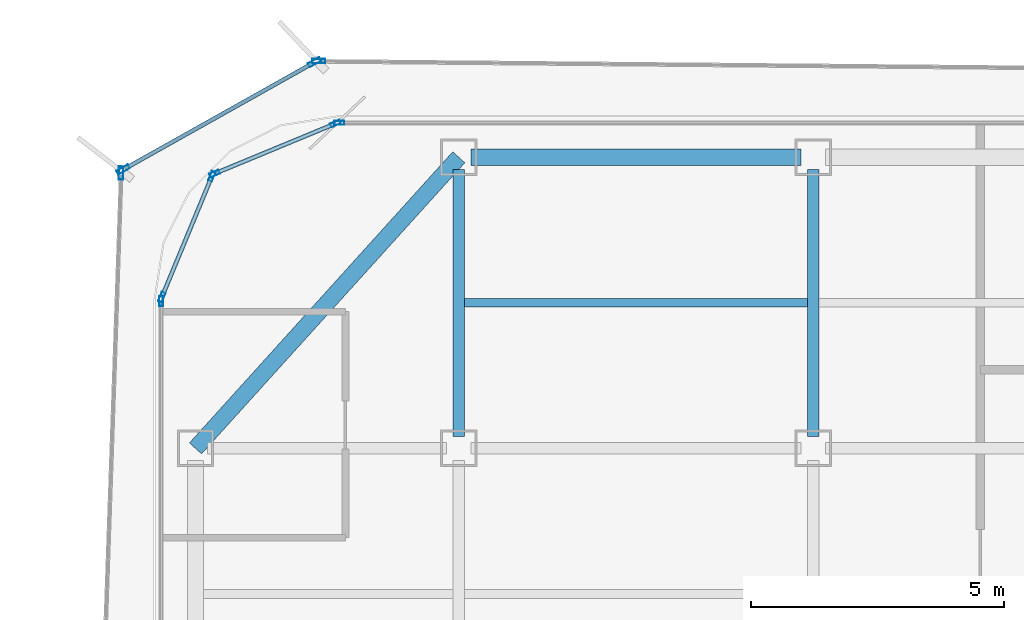
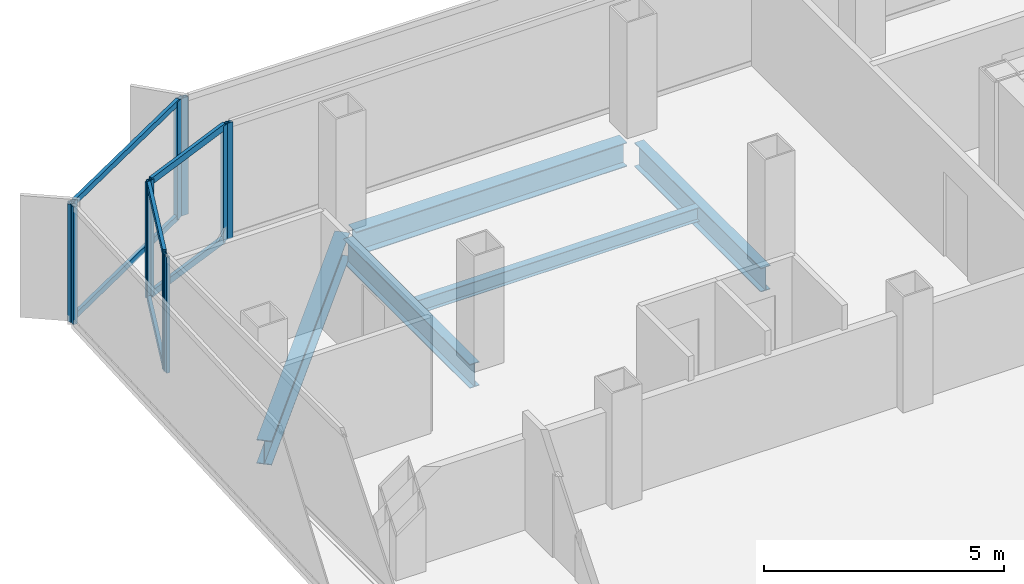
# One storey, part 6 of 15: 16 members, 5 beams, 7 elements without a shape of their own.
"""IFC4 building model written with IfcOpenShell, lengths in metres."""

from ifc_helpers import new_model, si_unit, direction, frame, origin, origin_2d, place, context, subcontext, project, spatial, hollow_rectangle, i_section, extrude, source, transform, mapped, material, layer, layer_set, material_profile, profile_set, type_object, element, aggregate, save


model = new_model("IFC4")

# Units and contexts
model_context = context("Model", 3, precision=1e-05, world=origin(), true_north=direction((0.0, 1.0)))
body_context = subcontext(model_context, "Body", "Model", "MODEL_VIEW")
ifc_project = project(units=[si_unit("LENGTHUNIT", "METRE"), si_unit("AREAUNIT", "SQUARE_METRE"), si_unit("VOLUMEUNIT", "CUBIC_METRE"), si_unit("PLANEANGLEUNIT", "RADIAN"), si_unit("MASSUNIT", "GRAM", prefix="KILO")], contexts=[model_context])

# Site, building, storey
site_placement = place(None, origin())
site = spatial("IfcSite", under=ifc_project, at=site_placement, CompositionType="ELEMENT")
building_placement = place(site_placement, origin())
building = spatial("IfcBuilding", under=site, at=building_placement, Name="Kolveth Station Tower", CompositionType="ELEMENT")
storey_placement = place(building_placement, frame((0.0, 0.0, 181.699951171875)))
storey = spatial("IfcBuildingStorey", under=building, at=storey_placement, Name="L51", CompositionType="ELEMENT", Elevation=181.699951171875)

# Beams
ifc_material_1 = material(Name="Steel S355", Category="steel")
ifc_material_profile_1 = material_profile(ifc_material_1, i_section(OverallWidth=0.323974609375, OverallDepth=0.611083984375, WebThickness=0.0126953125, FlangeThickness=0.01904296875, at=origin_2d()), Name="W610x155")
ifc_profile_set_1 = profile_set([ifc_material_profile_1], Name="Steel S355")
beam_type_1 = type_object("IfcBeamType", Name="Beam_SP2", PredefinedType="SPANDREL", material=ifc_profile_set_1)
shared_shape_1 = source(origin(), body_context, "Body", "SweptSolid", [
    extrude(i_section(OverallWidth=0.323974609375, OverallDepth=0.611083984375, WebThickness=0.0126953125, FlangeThickness=0.01904296875, at=origin_2d()), origin(), (0.0, 0.0, 1.0), 7.75244140625),
])
beam_1_placement = place(storey_placement, frame((6.0, 34.5, -0.555419921875), z_axis=(-0.670740965555, -0.74169168603, 0.0), x_axis=(0.74169168603, -0.670740965555, 0.0)))
element("IfcBeam", 1, at=beam_1_placement, inside=storey, type_object=beam_type_1, Name="L51 Corner Edge Girder BM-L51-CNR-NW", PredefinedType="SPANDREL", context=body_context, shape_type="MappedRepresentation", body=[
    mapped(shared_shape_1, transform((0.0, 0.0, 0.0), x_axis=(1.0, 0.0, 0.0), y_axis=(0.0, 1.0, 0.0), z_axis=(0.0, 0.0, 1.0), scale=1.0)),
])
shared_shape_2 = source(origin(), body_context, "Body", "SweptSolid", [
    extrude(i_section(OverallWidth=0.323974609375, OverallDepth=0.611083984375, WebThickness=0.0126953125, FlangeThickness=0.01904296875, at=origin_2d()), origin(), (0.0, 0.0, 1.0), 6.52001953125),
])
beam_2_placement = place(storey_placement, frame((6.239990234375, 34.5, -0.555419921875), z_axis=(1.0, 0.0, 0.0), x_axis=(0.0, 1.0, 0.0)))
element("IfcBeam", 2, at=beam_2_placement, inside=storey, type_object=beam_type_1, Name="L51 Perimeter Spandrel BM-L51-PN-1", PredefinedType="SPANDREL", context=body_context, shape_type="MappedRepresentation", body=[
    mapped(shared_shape_2, transform((0.0, 0.0, 0.0), x_axis=(1.0, 0.0, 0.0), y_axis=(0.0, 1.0, 0.0), z_axis=(0.0, 0.0, 1.0), scale=1.0)),
])
ifc_material_profile_2 = material_profile(ifc_material_1, i_section(OverallWidth=0.22900390625, OverallDepth=0.612060546875, WebThickness=0.011962890625, FlangeThickness=0.01953125, at=origin_2d()), Name="W610x125")
ifc_profile_set_2 = profile_set([ifc_material_profile_2], Name="Steel S355")
beam_type_2 = type_object("IfcBeamType", Name="Beam_B5", PredefinedType="BEAM", material=ifc_profile_set_2)
shared_shape_3 = source(origin(), body_context, "Body", "SweptSolid", [
    extrude(i_section(OverallWidth=0.22900390625, OverallDepth=0.612060546875, WebThickness=0.011962890625, FlangeThickness=0.01953125, at=origin_2d()), origin(), (0.0, 0.0, 1.0), 5.27001953125),
])
for number, where, z_axis, x_axis, name in (
    (3, (6.0, 28.989990234375, -0.555908203125), (0.0, 1.0, 0.0), (-1.0, 0.0, 0.0), "L51 Primary Girder BM-L51-GX60-6"),
    (4, (13.0, 28.989990234375, -0.555908203125), (0.0, 1.0, 0.0), (-1.0, 0.0, 0.0), "L51 Primary Girder BM-L51-GX130-6"),
):
    element("IfcBeam", number, at=place(storey_placement, frame(where, z_axis=z_axis, x_axis=x_axis)), inside=storey, type_object=beam_type_2, Name=name, PredefinedType="BEAM", context=body_context, shape_type="MappedRepresentation", body=[
        mapped(shared_shape_3, transform((0.0, 0.0, 0.0), x_axis=(1.0, 0.0, 0.0), y_axis=(0.0, 1.0, 0.0), z_axis=(0.0, 0.0, 1.0), scale=1.0)),
    ])
ifc_material_profile_3 = material_profile(ifc_material_1, i_section(OverallWidth=0.1708984375, OverallDepth=0.35205078125, WebThickness=0.0068359375, FlangeThickness=0.009765625, at=origin_2d()), Name="W360x44")
ifc_profile_set_3 = profile_set([ifc_material_profile_3], Name="Steel S355")
beam_type_3 = type_object("IfcBeamType", Name="Beam_J2", PredefinedType="JOIST", material=ifc_profile_set_3)
shared_shape_4 = source(origin(), body_context, "Body", "SweptSolid", [
    extrude(i_section(OverallWidth=0.1708984375, OverallDepth=0.35205078125, WebThickness=0.0068359375, FlangeThickness=0.009765625, at=origin_2d()), origin(), (0.0, 0.0, 1.0), 6.77490234375),
])
beam_3_placement = place(storey_placement, frame((6.112548828125, 31.625, -0.426025390625), z_axis=(1.0, 0.0, 0.0), x_axis=(0.0, 1.0, 0.0)))
element("IfcBeam", 5, at=beam_3_placement, inside=storey, type_object=beam_type_3, Name="L51 Secondary Joist JST-L51-2-6", PredefinedType="JOIST", context=body_context, shape_type="MappedRepresentation", body=[
    mapped(shared_shape_4, transform((0.0, 0.0, 0.0), x_axis=(1.0, 0.0, 0.0), y_axis=(0.0, 1.0, 0.0), z_axis=(0.0, 0.0, 1.0), scale=1.0)),
])

# Curtain wall, member
ifc_material_2 = material(Name="Aluminium 6063-T6 and low-E dark glass", Category="aluminium")
ifc_layer_1 = layer(ifc_material_2, 0.18994140625)
ifc_layer_set_1 = layer_set([ifc_layer_1], Name="Aluminium 6063-T6 and low-E dark glass")
curtain_wall_type_1 = type_object("IfcCurtainWallType", Name="CurtainWall_CW-Z2", PredefinedType="NOTDEFINED", material=ifc_layer_set_1)
curtain_wall_1_placement = place(storey_placement, origin())
curtain_wall_1 = element("IfcCurtainWall", 6, at=curtain_wall_1_placement, inside=storey, type_object=curtain_wall_type_1, Name="L51 Inner Thermal Curtain Wall 6", PredefinedType="NOTDEFINED")
ifc_material_3 = material(Name="Black anodized aluminium 6063-T6", Category="aluminium")
ifc_material_profile_4 = material_profile(ifc_material_3, hollow_rectangle(XDim=0.080078125, YDim=0.199951171875, WallThickness=0.0048828125, at=origin_2d()), Name="ALU-80x200x5")
ifc_profile_set_4 = profile_set([ifc_material_profile_4], Name="Black anodized aluminium 6063-T6")
member_type_1 = type_object("IfcMemberType", Name="Mullion_ML2", PredefinedType="MULLION", material=ifc_profile_set_4)
shared_shape_5 = source(origin(), body_context, "Body", "SweptSolid", [
    extrude(hollow_rectangle(XDim=0.080078125, YDim=0.199951171875, WallThickness=0.0048828125, at=origin_2d()), origin(), (0.0, 0.0, 1.0), 2.949951171875),
])
member_1_placement = place(storey_placement, frame((3.639892578125, 35.179931640625, 0.0), z_axis=(0.0, 0.0, 1.0), x_axis=(0.0, -1.0, 0.0)))
member_1 = element("IfcMember", 7, at=member_1_placement, type_object=member_type_1, Name="CW-Z2 mullion 2", PredefinedType="MULLION", context=body_context, shape_type="MappedRepresentation", body=[
    mapped(shared_shape_5, transform((0.0, 0.0, 0.0), x_axis=(1.0, 0.0, 0.0), y_axis=(0.0, 1.0, 0.0), z_axis=(0.0, 0.0, 1.0), scale=1.0)),
])
aggregate(curtain_wall_1, [member_1])

# Curtain wall, members
curtain_wall_2_placement = place(storey_placement, origin())
curtain_wall_2 = element("IfcCurtainWall", 8, at=curtain_wall_2_placement, inside=storey, type_object=curtain_wall_type_1, Name="L51 Inner Thermal Curtain Wall 7", PredefinedType="NOTDEFINED")
member_2_placement = place(storey_placement, frame((3.56298828125, 35.164794921875, 0.0), z_axis=(0.0, 0.0, 1.0), x_axis=(0.382697753087, -0.923873600544, 0.0)))
member_2 = element("IfcMember", 9, at=member_2_placement, type_object=member_type_1, Name="CW-Z2 mullion 1", PredefinedType="MULLION", context=body_context, shape_type="MappedRepresentation", body=[
    mapped(shared_shape_5, transform((0.0, 0.0, 0.0), x_axis=(1.0, 0.0, 0.0), y_axis=(0.0, 1.0, 0.0), z_axis=(0.0, 0.0, 1.0), scale=1.0)),
])
member_3_placement = place(storey_placement, frame((1.17626953125, 34.176025390625, 0.0), z_axis=(0.0, 0.0, 1.0), x_axis=(0.382697753087, -0.923873600544, 0.0)))
member_3 = element("IfcMember", 10, at=member_3_placement, type_object=member_type_1, Name="CW-Z2 mullion 2", PredefinedType="MULLION", context=body_context, shape_type="MappedRepresentation", body=[
    mapped(shared_shape_5, transform((0.0, 0.0, 0.0), x_axis=(1.0, 0.0, 0.0), y_axis=(0.0, 1.0, 0.0), z_axis=(0.0, 0.0, 1.0), scale=1.0)),
])

curtain_wall_3_placement = place(storey_placement, origin())
curtain_wall_3 = element("IfcCurtainWall", 11, at=curtain_wall_3_placement, inside=storey, type_object=curtain_wall_type_1, Name="L51 Inner Thermal Curtain Wall 8", PredefinedType="NOTDEFINED")
member_4_placement = place(storey_placement, frame((1.1240234375, 34.123779296875, 0.0), z_axis=(0.0, 0.0, 1.0), x_axis=(0.923873600544, -0.382697753087, 0.0)))
member_4 = element("IfcMember", 12, at=member_4_placement, type_object=member_type_1, Name="CW-Z2 mullion 1", PredefinedType="MULLION", context=body_context, shape_type="MappedRepresentation", body=[
    mapped(shared_shape_5, transform((0.0, 0.0, 0.0), x_axis=(1.0, 0.0, 0.0), y_axis=(0.0, 1.0, 0.0), z_axis=(0.0, 0.0, 1.0), scale=1.0)),
])
member_5_placement = place(storey_placement, frame((0.13525390625, 31.737060546875, 0.0), z_axis=(0.0, 0.0, 1.0), x_axis=(0.923873600544, -0.382697753087, 0.0)))
member_5 = element("IfcMember", 13, at=member_5_placement, type_object=member_type_1, Name="CW-Z2 mullion 2", PredefinedType="MULLION", context=body_context, shape_type="MappedRepresentation", body=[
    mapped(shared_shape_5, transform((0.0, 0.0, 0.0), x_axis=(1.0, 0.0, 0.0), y_axis=(0.0, 1.0, 0.0), z_axis=(0.0, 0.0, 1.0), scale=1.0)),
])

# Curtain wall, member
curtain_wall_4_placement = place(storey_placement, origin())
curtain_wall_4 = element("IfcCurtainWall", 14, at=curtain_wall_4_placement, inside=storey, type_object=curtain_wall_type_1, Name="L51 Inner Thermal Curtain Wall 9", PredefinedType="NOTDEFINED")
member_6_placement = place(storey_placement, frame((0.1201171875, 31.659912109375, 0.0), z_axis=(0.0, 0.0, 1.0), x_axis=(1.0, 0.0, 0.0)))
member_6 = element("IfcMember", 15, at=member_6_placement, type_object=member_type_1, Name="CW-Z2 mullion 1", PredefinedType="MULLION", context=body_context, shape_type="MappedRepresentation", body=[
    mapped(shared_shape_5, transform((0.0, 0.0, 0.0), x_axis=(1.0, 0.0, 0.0), y_axis=(0.0, 1.0, 0.0), z_axis=(0.0, 0.0, 1.0), scale=1.0)),
])
aggregate(curtain_wall_4, [member_6])

ifc_material_4 = material(Name="Black anodized aluminium 6063-T6 and dark solar glass", Category="aluminium")
ifc_layer_2 = layer(ifc_material_4, 0.159912109375)
ifc_layer_set_2 = layer_set([ifc_layer_2], Name="Black anodized aluminium 6063-T6 and dark solar glass")
curtain_wall_type_2 = type_object("IfcCurtainWallType", Name="OUTER SKIN CW-OS", PredefinedType="NOTDEFINED", material=ifc_layer_set_2)
curtain_wall_5_placement = place(storey_placement, origin())
curtain_wall_5 = element("IfcCurtainWall", 16, at=curtain_wall_5_placement, inside=storey, type_object=curtain_wall_type_2, Name="L51 Outer Ventilated Skin Curtain Wall 4", PredefinedType="NOTDEFINED")
ifc_material_profile_5 = material_profile(ifc_material_3, hollow_rectangle(XDim=0.090087890625, YDim=0.260009765625, WallThickness=0.0048828125, at=origin_2d()), Name="ALU-90x260x5")
ifc_profile_set_5 = profile_set([ifc_material_profile_5], Name="Black anodized aluminium 6063-T6")
member_type_2 = type_object("IfcMemberType", Name="FIN MULLION ML-OS", PredefinedType="MULLION", material=ifc_profile_set_5)
shared_shape_6 = source(origin(), body_context, "Body", "SweptSolid", [
    extrude(hollow_rectangle(XDim=0.090087890625, YDim=0.260009765625, WallThickness=0.0048828125, at=origin_2d()), origin(), (0.0, 0.0, 1.0), 2.989990234375),
])
member_7_placement = place(storey_placement, frame((3.234619140625, 36.397705078125, 0.0), z_axis=(0.0, 0.0, 1.0), x_axis=(-0.009075962941, -0.9999588126, 0.0)))
member_7 = element("IfcMember", 17, at=member_7_placement, type_object=member_type_2, Name="CW-OS mullion 2", PredefinedType="MULLION", context=body_context, shape_type="MappedRepresentation", body=[
    mapped(shared_shape_6, transform((0.0, 0.0, 0.0), x_axis=(1.0, 0.0, 0.0), y_axis=(0.0, 1.0, 0.0), z_axis=(0.0, 0.0, 1.0), scale=1.0)),
])
aggregate(curtain_wall_5, [member_7])

# Curtain wall, members
curtain_wall_6_placement = place(storey_placement, origin())
curtain_wall_6 = element("IfcCurtainWall", 18, at=curtain_wall_6_placement, inside=storey, type_object=curtain_wall_type_2, Name="L51 Outer Ventilated Skin Curtain Wall 5", PredefinedType="NOTDEFINED")
member_8_placement = place(storey_placement, frame((3.150146484375, 36.376220703125, 0.0), z_axis=(0.0, 0.0, 1.0), x_axis=(0.489303803651, -0.872113403023, 0.0)))
member_8 = element("IfcMember", 19, at=member_8_placement, type_object=member_type_2, Name="CW-OS mullion 1", PredefinedType="MULLION", context=body_context, shape_type="MappedRepresentation", body=[
    mapped(shared_shape_6, transform((0.0, 0.0, 0.0), x_axis=(1.0, 0.0, 0.0), y_axis=(0.0, 1.0, 0.0), z_axis=(0.0, 0.0, 1.0), scale=1.0)),
])
member_9_placement = place(storey_placement, frame((-0.630126953125, 34.255126953125, 0.0), z_axis=(0.0, 0.0, 1.0), x_axis=(0.489303803651, -0.872113403023, 0.0)))
member_9 = element("IfcMember", 20, at=member_9_placement, type_object=member_type_2, Name="CW-OS mullion 2", PredefinedType="MULLION", context=body_context, shape_type="MappedRepresentation", body=[
    mapped(shared_shape_6, transform((0.0, 0.0, 0.0), x_axis=(1.0, 0.0, 0.0), y_axis=(0.0, 1.0, 0.0), z_axis=(0.0, 0.0, 1.0), scale=1.0)),
])

# Curtain wall, member
curtain_wall_7_placement = place(storey_placement, origin())
curtain_wall_7 = element("IfcCurtainWall", 21, at=curtain_wall_7_placement, inside=storey, type_object=curtain_wall_type_2, Name="L51 Outer Ventilated Skin Curtain Wall 6", PredefinedType="NOTDEFINED")
member_10_placement = place(storey_placement, frame((-0.6708984375, 34.188232421875, 0.0), z_axis=(0.0, 0.0, 1.0), x_axis=(0.999410356255, -0.034335692937, 0.0)))
member_10 = element("IfcMember", 22, at=member_10_placement, type_object=member_type_2, Name="CW-OS mullion 1", PredefinedType="MULLION", context=body_context, shape_type="MappedRepresentation", body=[
    mapped(shared_shape_6, transform((0.0, 0.0, 0.0), x_axis=(1.0, 0.0, 0.0), y_axis=(0.0, 1.0, 0.0), z_axis=(0.0, 0.0, 1.0), scale=1.0)),
])
aggregate(curtain_wall_7, [member_10])

# Member
ifc_material_profile_6 = material_profile(ifc_material_3, hollow_rectangle(XDim=0.080078125, YDim=0.169921875, WallThickness=0.0048828125, at=origin_2d()), Name="ALU-80x170x5")
ifc_profile_set_6 = profile_set([ifc_material_profile_6], Name="Black anodized aluminium 6063-T6")
member_type_3 = type_object("IfcMemberType", Name="Transom_TR2", PredefinedType="USERDEFINED", material=ifc_profile_set_6)
shared_shape_7 = source(origin(), body_context, "Body", "SweptSolid", [
    extrude(hollow_rectangle(XDim=0.080078125, YDim=0.169921875, WallThickness=0.0048828125, at=origin_2d()), origin(), (0.0, 0.0, 1.0), 2.50341796875),
])
member_11_placement = place(storey_placement, frame((3.526123046875, 35.1494140625, 0.0400390625), z_axis=(-0.923888472039, -0.382661849723, 0.0), x_axis=(0.382661849723, -0.923888472039, 0.0)))
member_11 = element("IfcMember", 23, at=member_11_placement, type_object=member_type_3, Name="CW-Z2 transom 1.1", ObjectType="TRANSOM", PredefinedType="USERDEFINED", context=body_context, shape_type="MappedRepresentation", body=[
    mapped(shared_shape_7, transform((0.0, 0.0, 0.0), x_axis=(1.0, 0.0, 0.0), y_axis=(0.0, 1.0, 0.0), z_axis=(0.0, 0.0, 1.0), scale=1.0)),
])

member_12_placement = place(storey_placement, frame((3.526123046875, 35.1494140625, 2.91015625), z_axis=(-0.923888472039, -0.382661849723, 0.0), x_axis=(0.382661849723, -0.923888472039, 0.0)))
member_12 = element("IfcMember", 24, at=member_12_placement, type_object=member_type_3, Name="CW-Z2 transom 1.2", ObjectType="TRANSOM", PredefinedType="USERDEFINED", context=body_context, shape_type="MappedRepresentation", body=[
    mapped(shared_shape_7, transform((0.0, 0.0, 0.0), x_axis=(1.0, 0.0, 0.0), y_axis=(0.0, 1.0, 0.0), z_axis=(0.0, 0.0, 1.0), scale=1.0)),
])

aggregate(curtain_wall_2, [member_2, member_3, member_11, member_12])

member_13_placement = place(storey_placement, frame((1.108642578125, 34.086669921875, 0.0400390625), z_axis=(-0.382696328882, -0.923874190494, 0.0), x_axis=(0.923874190494, -0.382696328882, 0.0)))
member_13 = element("IfcMember", 25, at=member_13_placement, type_object=member_type_3, Name="CW-Z2 transom 1.1", ObjectType="TRANSOM", PredefinedType="USERDEFINED", context=body_context, shape_type="MappedRepresentation", body=[
    mapped(shared_shape_7, transform((0.0, 0.0, 0.0), x_axis=(1.0, 0.0, 0.0), y_axis=(0.0, 1.0, 0.0), z_axis=(0.0, 0.0, 1.0), scale=1.0)),
])

member_14_placement = place(storey_placement, frame((1.108642578125, 34.086669921875, 2.91015625), z_axis=(-0.382696328882, -0.923874190494, 0.0), x_axis=(0.923874190494, -0.382696328882, 0.0)))
member_14 = element("IfcMember", 26, at=member_14_placement, type_object=member_type_3, Name="CW-Z2 transom 1.2", ObjectType="TRANSOM", PredefinedType="USERDEFINED", context=body_context, shape_type="MappedRepresentation", body=[
    mapped(shared_shape_7, transform((0.0, 0.0, 0.0), x_axis=(1.0, 0.0, 0.0), y_axis=(0.0, 1.0, 0.0), z_axis=(0.0, 0.0, 1.0), scale=1.0)),
])

aggregate(curtain_wall_3, [member_4, member_5, member_13, member_14])

ifc_material_profile_7 = material_profile(ifc_material_3, hollow_rectangle(XDim=0.080078125, YDim=0.14990234375, WallThickness=0.0048828125, at=origin_2d()), Name="ALU-80x150x5")
ifc_profile_set_7 = profile_set([ifc_material_profile_7], Name="Black anodized aluminium 6063-T6")
member_type_4 = type_object("IfcMemberType", Name="Transom_TR-OS", PredefinedType="USERDEFINED", material=ifc_profile_set_7)
shared_shape_8 = source(origin(), body_context, "Body", "SweptSolid", [
    extrude(hollow_rectangle(XDim=0.080078125, YDim=0.14990234375, WallThickness=0.0048828125, at=origin_2d()), origin(), (0.0, 0.0, 1.0), 4.24462890625),
])
member_15_placement = place(storey_placement, frame((3.111083984375, 36.354248046875, 0.0400390625), z_axis=(-0.872120293889, -0.489291521474, 0.0), x_axis=(0.489291521474, -0.872120293889, 0.0)))
member_15 = element("IfcMember", 27, at=member_15_placement, type_object=member_type_4, Name="CW-OS transom 1.1", ObjectType="TRANSOM", PredefinedType="USERDEFINED", context=body_context, shape_type="MappedRepresentation", body=[
    mapped(shared_shape_8, transform((0.0, 0.0, 0.0), x_axis=(1.0, 0.0, 0.0), y_axis=(0.0, 1.0, 0.0), z_axis=(0.0, 0.0, 1.0), scale=1.0)),
])

member_16_placement = place(storey_placement, frame((3.111083984375, 36.354248046875, 2.949951171875), z_axis=(-0.872120293889, -0.489291521474, 0.0), x_axis=(0.489291521474, -0.872120293889, 0.0)))
member_16 = element("IfcMember", 28, at=member_16_placement, type_object=member_type_4, Name="CW-OS transom 1.2", ObjectType="TRANSOM", PredefinedType="USERDEFINED", context=body_context, shape_type="MappedRepresentation", body=[
    mapped(shared_shape_8, transform((0.0, 0.0, 0.0), x_axis=(1.0, 0.0, 0.0), y_axis=(0.0, 1.0, 0.0), z_axis=(0.0, 0.0, 1.0), scale=1.0)),
])

aggregate(curtain_wall_6, [member_8, member_9, member_15, member_16])

save(model, "model.ifc")
